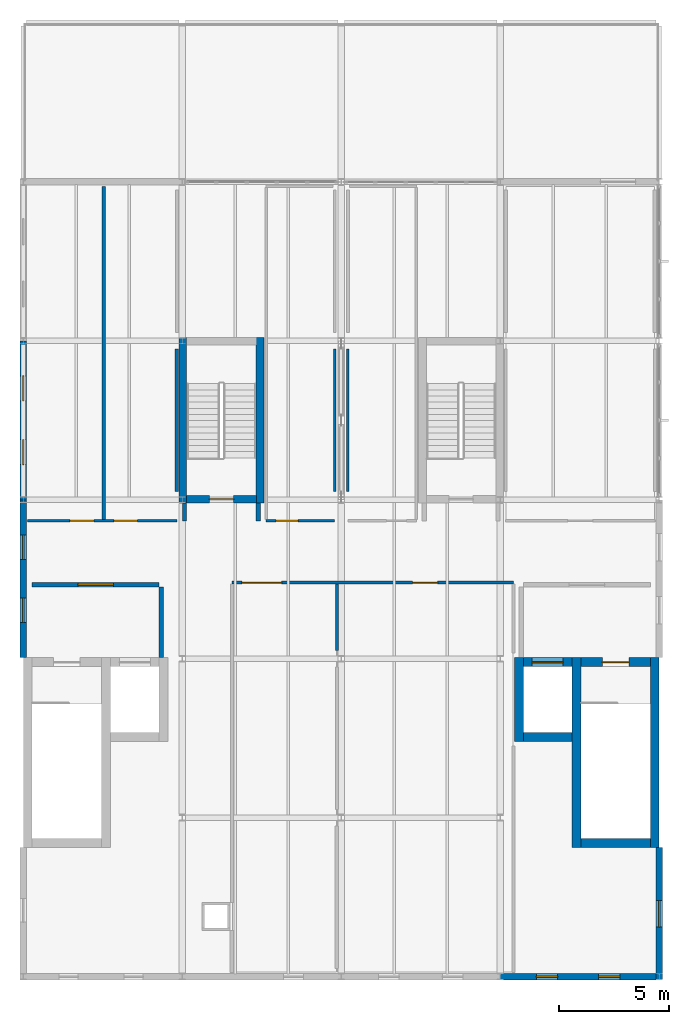
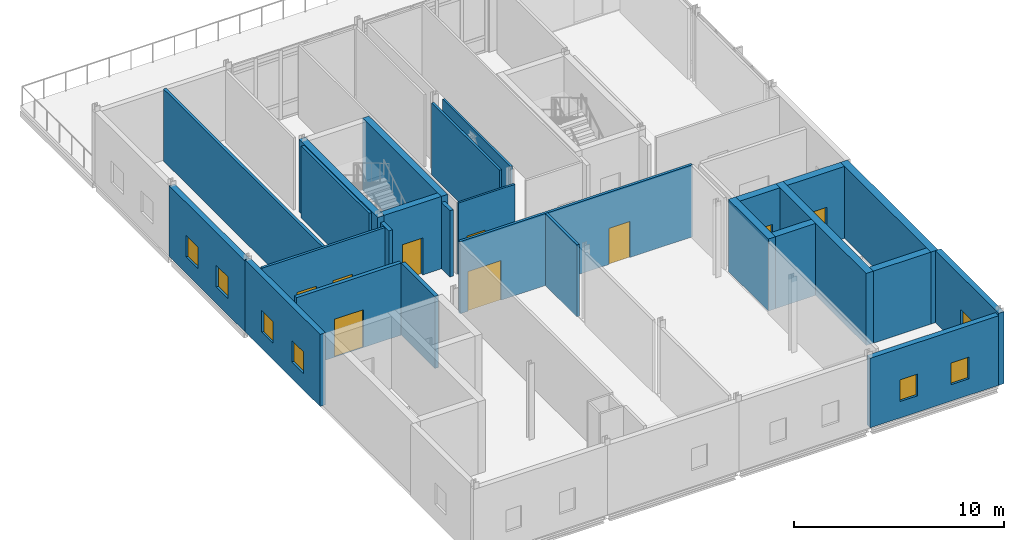
# One storey, part 8 of 12: 26 walls, 9 doors, 7 windows, 16 openings.
"""IFC4 building model written with IfcOpenShell, lengths in metres."""

from ifc_helpers import new_model, si_unit, direction, frame, frame_2d, origin, place, context, subcontext, project, spatial, rectangle, extrude, material, layer, layer_set, type_object, element, fill, save


model = new_model("IFC4")

# Units and contexts
model_context = context("Model", 3, precision=1e-05, world=origin(), true_north=direction((0.0, 1.0)))
body_context = subcontext(model_context, "Body", "Model", "MODEL_VIEW")
ifc_project = project(units=[si_unit("LENGTHUNIT", "METRE"), si_unit("AREAUNIT", "SQUARE_METRE"), si_unit("VOLUMEUNIT", "CUBIC_METRE"), si_unit("PLANEANGLEUNIT", "RADIAN"), si_unit("MASSUNIT", "GRAM", prefix="KILO")], contexts=[model_context])

# Site, building, storey
site_placement = place(None, origin())
site = spatial("IfcSite", under=ifc_project, at=site_placement, CompositionType="ELEMENT")
building_placement = place(site_placement, origin())
building = spatial("IfcBuilding", under=site, at=building_placement, Name="Zarrinpeak Specialist Clinic", CompositionType="ELEMENT")
storey_placement = place(building_placement, frame((0.0, 0.0, 27.199951171875)))
storey = spatial("IfcBuildingStorey", under=building, at=storey_placement, Name="L06", CompositionType="ELEMENT", Elevation=27.199951171875)

# Wall, opening, door
ifc_material_1 = material(Name="Concrete C40/50", Category="concrete")
ifc_layer_1 = layer(ifc_material_1, 0.35009765625)
ifc_layer_set_1 = layer_set([ifc_layer_1], Name="Concrete C40/50")
wall_type_1 = type_object("IfcWallType", Name="WL-CR350", PredefinedType="SHEAR", material=ifc_layer_set_1)
wall_1_placement = place(storey_placement, frame((7.39990234375, 21.625, 0.0), z_axis=(0.0, 0.0, 1.0), x_axis=(1.0, 0.0, 0.0)))
wall_1 = element("IfcWall", 1, at=wall_1_placement, inside=storey, type_object=wall_type_1, Name="L06 Attic Stair ST-13 Shaft Wall STS", PredefinedType="SHEAR", context=body_context, shape_type="SweptSolid", body=[
    extrude(rectangle(XDim=3.150146484375, YDim=0.35009765625, at=frame_2d((1.5751953125, 0.0))), origin(), (0.0, 0.0, 1.0), 4.199951171875),
])
opening_1_placement = place(wall_1_placement, frame((1.02490234375, 0.0, 0.0)))
opening_1 = element("IfcOpeningElement", 2, at=opening_1_placement, cuts=wall_1, Name="Opening D-S02", PredefinedType="OPENING", context=body_context, shape_type="SweptSolid", body=[
    extrude(rectangle(XDim=1.10009765625, YDim=2.14990234375, at=frame_2d((0.550048828125, 1.074951171875))), frame((0.0, 0.18505859375, 0.0), z_axis=(0.0, -1.0, 0.0), x_axis=(1.0, 0.0, 0.0)), (0.0, 0.0, 1.0), 0.3701171875),
])
ifc_material_2 = material(Name="Powder-Coated Galvanised Steel", Category="steel")
door_type_1 = type_object("IfcDoorType", Name="DR-FD110", OperationType="SINGLE_SWING_RIGHT", PredefinedType="DOOR", material=ifc_material_2)
door_1_placement = place(opening_1_placement, frame((1.10009765625, 0.0, 0.0), z_axis=(0.0, 0.0, 1.0), x_axis=(-1.0, 0.0, 0.0)))
door_1 = element("IfcDoor", 3, at=door_1_placement, inside=storey, type_object=door_type_1, Name="L06 Protected Attic Exit Stair ST-13 Fire Door", OperationType="SINGLE_SWING_RIGHT", OverallHeight=2.14990234375, OverallWidth=1.10009765625, PredefinedType="DOOR", context=body_context, shape_type="SweptSolid", body=[
    extrude(rectangle(XDim=1.10009765625, YDim=2.14990234375, at=frame_2d((0.550048828125, 1.074951171875))), frame((0.0, 0.02490234375, 0.0), z_axis=(0.0, -1.0, 0.0), x_axis=(1.0, 0.0, 0.0)), (0.0, 0.0, 1.0), 0.050048828125),
])
fill(opening_1, door_1)

# Walls
for number, where, z_axis, x_axis, name in (
    (4, (7.22509765625, 21.449951171875, 0.0), (0.0, 0.0, 1.0), (0.0, 1.0, 0.0), "L06 Attic Stair ST-13 Shaft Wall STW"),
    (5, (10.72509765625, 21.449951171875, 0.0), (0.0, 0.0, 1.0), (0.0, 1.0, 0.0), "L06 Attic Stair ST-13 Shaft Wall STE"),
):
    element("IfcWall", number, at=place(storey_placement, frame(where, z_axis=z_axis, x_axis=x_axis)), inside=storey, type_object=wall_type_1, Name=name, PredefinedType="SHEAR", context=body_context, shape_type="SweptSolid", body=[
        extrude(rectangle(XDim=7.5, YDim=0.35009765625, at=frame_2d((3.75, 0.0))), origin(), (0.0, 0.0, 1.0), 4.199951171875),
    ])
ifc_layer_2 = layer(ifc_material_1, 0.39990234375)
ifc_layer_set_2 = layer_set([ifc_layer_2], Name="Concrete C40/50")
wall_type_2 = type_object("IfcWallType", Name="WL-CR400", PredefinedType="SHEAR", material=ifc_layer_set_2)
wall_2_placement = place(storey_placement, frame((25.25, 6.050048828125, 0.0), z_axis=(0.0, 0.0, 1.0), x_axis=(1.0, 0.0, 0.0)))
element("IfcWall", 6, at=wall_2_placement, inside=storey, type_object=wall_type_2, Name="L06 Core C02 Shear Wall STS", PredefinedType="SHEAR", context=body_context, shape_type="SweptSolid", body=[
    extrude(rectangle(XDim=3.14990234375, YDim=0.39990234375, at=frame_2d((1.574951171875, 0.0))), origin(), (0.0, 0.0, 1.0), 4.179931640625),
])

# Wall, opening, door
wall_3_placement = place(storey_placement, frame((25.25, 14.25, 0.0), z_axis=(0.0, 0.0, 1.0), x_axis=(1.0, 0.0, 0.0)))
wall_3 = element("IfcWall", 7, at=wall_3_placement, inside=storey, type_object=wall_type_2, Name="L06 Core C02 Shear Wall STN", PredefinedType="SHEAR", context=body_context, shape_type="SweptSolid", body=[
    extrude(rectangle(XDim=3.14990234375, YDim=0.39990234375, at=frame_2d((1.574951171875, 0.0))), origin(), (0.0, 0.0, 1.0), 4.179931640625),
])
opening_2_placement = place(wall_3_placement, frame((0.97509765625, 0.0, 0.0)))
opening_2 = element("IfcOpeningElement", 8, at=opening_2_placement, cuts=wall_3, Name="Opening D-S01", PredefinedType="OPENING", context=body_context, shape_type="SweptSolid", body=[
    extrude(rectangle(XDim=1.199951171875, YDim=2.14990234375, at=frame_2d((0.60009765625, 1.074951171875))), frame((0.0, 0.2099609375, 0.0), z_axis=(0.0, -1.0, 0.0), x_axis=(1.0, 0.0, 0.0)), (0.0, 0.0, 1.0), 0.419921875),
])
door_type_2 = type_object("IfcDoorType", Name="DR-FD120", OperationType="SINGLE_SWING_LEFT", PredefinedType="DOOR", material=ifc_material_2)
door_2_placement = place(opening_2_placement, frame((1.199951171875, 0.0, 0.0), z_axis=(0.0, 0.0, 1.0), x_axis=(-1.0, 0.0, 0.0)))
door_2 = element("IfcDoor", 9, at=door_2_placement, inside=storey, type_object=door_type_2, Name="L06 Protected Stair ST-02 Fire Door", OperationType="SINGLE_SWING_LEFT", OverallHeight=2.14990234375, OverallWidth=1.199951171875, PredefinedType="DOOR", context=body_context, shape_type="SweptSolid", body=[
    extrude(rectangle(XDim=1.199951171875, YDim=2.14990234375, at=frame_2d((0.60009765625, 1.074951171875))), frame((0.0, 0.02490234375, 0.0), z_axis=(0.0, -1.0, 0.0), x_axis=(1.0, 0.0, 0.0)), (0.0, 0.0, 1.0), 0.050048828125),
])
fill(opening_2, door_2)

# Walls
for number, where, z_axis, x_axis, name in (
    (10, (25.050048828125, 5.85009765625, 0.0), (0.0, 0.0, 1.0), (0.0, 1.0, 0.0), "L06 Core C02 Shear Wall STW"),
    (11, (28.60009765625, 5.85009765625, 0.0), (0.0, 0.0, 1.0), (0.0, 1.0, 0.0), "L06 Core C02 Shear Wall STE"),
):
    element("IfcWall", number, at=place(storey_placement, frame(where, z_axis=z_axis, x_axis=x_axis)), inside=storey, type_object=wall_type_2, Name=name, PredefinedType="SHEAR", context=body_context, shape_type="SweptSolid", body=[
        extrude(rectangle(XDim=8.599853515625, YDim=0.39990234375, at=frame_2d((4.2998046875, 0.0))), origin(), (0.0, 0.0, 1.0), 4.179931640625),
    ])
wall_4_placement = place(storey_placement, frame((22.64990234375, 10.85009765625, 0.0), z_axis=(0.0, 0.0, 1.0), x_axis=(1.0, 0.0, 0.0)))
element("IfcWall", 12, at=wall_4_placement, inside=storey, type_object=wall_type_2, Name="L06 Lift LF-FF2 Shaft Wall LFS", PredefinedType="SHEAR", context=body_context, shape_type="SweptSolid", body=[
    extrude(rectangle(XDim=2.2001953125, YDim=0.39990234375, at=frame_2d((1.10009765625, 0.0))), origin(), (0.0, 0.0, 1.0), 4.179931640625),
])

# Wall, opening, door
wall_5_placement = place(storey_placement, frame((22.64990234375, 14.25, 0.0), z_axis=(0.0, 0.0, 1.0), x_axis=(1.0, 0.0, 0.0)))
wall_5 = element("IfcWall", 13, at=wall_5_placement, inside=storey, type_object=wall_type_2, Name="L06 Lift LF-FF2 Shaft Wall LFN", PredefinedType="SHEAR", context=body_context, shape_type="SweptSolid", body=[
    extrude(rectangle(XDim=2.2001953125, YDim=0.39990234375, at=frame_2d((1.10009765625, 0.0))), origin(), (0.0, 0.0, 1.0), 4.179931640625),
])
opening_3_placement = place(wall_5_placement, frame((0.39990234375, 0.0, 0.0)))
opening_3 = element("IfcOpeningElement", 14, at=opening_3_placement, cuts=wall_5, Name="Opening LD-01", PredefinedType="OPENING", context=body_context, shape_type="SweptSolid", body=[
    extrude(rectangle(XDim=1.39990234375, YDim=2.199951171875, at=frame_2d((0.699951171875, 1.10009765625))), frame((0.0, 0.2099609375, 0.0), z_axis=(0.0, -1.0, 0.0), x_axis=(1.0, 0.0, 0.0)), (0.0, 0.0, 1.0), 0.419921875),
])
door_type_3 = type_object("IfcDoorType", Name="DR-LD140", OperationType="SLIDING_TO_LEFT", PredefinedType="DOOR", material=ifc_material_2)
door_3_placement = place(opening_3_placement, origin())
door_3 = element("IfcDoor", 15, at=door_3_placement, inside=storey, type_object=door_type_3, Name="L06 Lift LF-FF2 Sliding Landing Door", OperationType="SLIDING_TO_LEFT", OverallHeight=2.199951171875, OverallWidth=1.39990234375, PredefinedType="DOOR", context=body_context, shape_type="SweptSolid", body=[
    extrude(rectangle(XDim=1.39990234375, YDim=2.199951171875, at=frame_2d((0.699951171875, 1.10009765625))), frame((0.0, 0.02490234375, 0.0), z_axis=(0.0, -1.0, 0.0), x_axis=(1.0, 0.0, 0.0)), (0.0, 0.0, 1.0), 0.050048828125),
])
fill(opening_3, door_3)

# Wall
wall_6_placement = place(storey_placement, frame((22.449951171875, 10.64990234375, 0.0), z_axis=(0.0, 0.0, 1.0), x_axis=(0.0, 1.0, 0.0)))
element("IfcWall", 16, at=wall_6_placement, inside=storey, type_object=wall_type_2, Name="L06 Lift LF-FF2 Shaft Wall LFW", PredefinedType="SHEAR", context=body_context, shape_type="SweptSolid", body=[
    extrude(rectangle(XDim=3.800048828125, YDim=0.39990234375, at=frame_2d((1.89990234375, 0.0))), origin(), (0.0, 0.0, 1.0), 4.179931640625),
])

# Wall, openings, windows
ifc_material_3 = material(Name="Precast concrete C40/50", Category="concrete")
ifc_layer_3 = layer(ifc_material_3, 0.300048828125)
ifc_layer_set_3 = layer_set([ifc_layer_3], Name="Precast concrete C40/50")
wall_type_3 = type_object("IfcWallType", Name="WL-EW300", PredefinedType="STANDARD", material=ifc_layer_set_3)
wall_7_placement = place(storey_placement, frame((21.60009765625, 0.0, 0.0), z_axis=(0.0, 0.0, 1.0), x_axis=(1.0, 0.0, 0.0)))
wall_7 = element("IfcWall", 17, at=wall_7_placement, inside=storey, type_object=wall_type_3, Name="L06 V1 Exterior GRC Wall EW-L06-V1-0087", PredefinedType="STANDARD", context=body_context, shape_type="SweptSolid", body=[
    extrude(rectangle(XDim=7.0498046875, YDim=0.300048828125, at=frame_2d((3.52490234375, 0.0))), origin(), (0.0, 0.0, 1.0), 4.03515625),
])
opening_4_placement = place(wall_7_placement, frame((1.634033203125, 0.0, 0.949951171875)))
opening_4 = element("IfcOpeningElement", 18, at=opening_4_placement, cuts=wall_7, Name="Opening WS-04", PredefinedType="OPENING", context=body_context, shape_type="SweptSolid", body=[
    extrude(rectangle(XDim=0.9619140625, YDim=1.260009765625, at=frame_2d((0.48095703125, 0.6298828125))), frame((0.0, 0.16015625, 0.0), z_axis=(0.0, -1.0, 0.0), x_axis=(1.0, 0.0, 0.0)), (0.0, 0.0, 1.0), 0.320068359375),
])
opening_5_placement = place(wall_7_placement, frame((4.4541015625, 0.0, 0.949951171875)))
opening_5 = element("IfcOpeningElement", 19, at=opening_5_placement, cuts=wall_7, Name="Opening WS-04", PredefinedType="OPENING", context=body_context, shape_type="SweptSolid", body=[
    extrude(rectangle(XDim=0.9619140625, YDim=1.260009765625, at=frame_2d((0.48095703125, 0.6298828125))), frame((0.0, 0.16015625, 0.0), z_axis=(0.0, -1.0, 0.0), x_axis=(1.0, 0.0, 0.0)), (0.0, 0.0, 1.0), 0.320068359375),
])
ifc_material_4 = material(Name="Thermally Broken Aluminium and Low-E Glazing", Category="aluminium")
window_type_1 = type_object("IfcWindowType", Name="WN-SP04", PartitioningType="SINGLE_PANEL", PredefinedType="WINDOW", material=ifc_material_4)
window_1_placement = place(opening_4_placement, origin())
window_1 = element("IfcWindow", 20, at=window_1_placement, inside=storey, type_object=window_type_1, Name="L06 Modular Facade Window WN-L06-0126", OverallHeight=1.260009765625, OverallWidth=0.9619140625, PartitioningType="SINGLE_PANEL", PredefinedType="WINDOW", context=body_context, shape_type="SweptSolid", body=[
    extrude(rectangle(XDim=0.9619140625, YDim=1.260009765625, at=frame_2d((0.48095703125, 0.6298828125))), frame((0.0, 0.030029296875, 0.0), z_axis=(0.0, -1.0, 0.0), x_axis=(1.0, 0.0, 0.0)), (0.0, 0.0, 1.0), 0.06005859375),
])
fill(opening_4, window_1)
window_2_placement = place(opening_5_placement, origin())
window_2 = element("IfcWindow", 21, at=window_2_placement, inside=storey, type_object=window_type_1, Name="L06 Modular Facade Window WN-L06-0127", OverallHeight=1.260009765625, OverallWidth=0.9619140625, PartitioningType="SINGLE_PANEL", PredefinedType="WINDOW", context=body_context, shape_type="SweptSolid", body=[
    extrude(rectangle(XDim=0.9619140625, YDim=1.260009765625, at=frame_2d((0.48095703125, 0.6298828125))), frame((0.0, 0.030029296875, 0.0), z_axis=(0.0, -1.0, 0.0), x_axis=(1.0, 0.0, 0.0)), (0.0, 0.0, 1.0), 0.06005859375),
])
fill(opening_5, window_2)

wall_8_placement = place(storey_placement, frame((0.0, 21.60009765625, 0.0), z_axis=(0.0, 0.0, 1.0), x_axis=(0.0, -1.0, 0.0)))
wall_8 = element("IfcWall", 22, at=wall_8_placement, inside=storey, type_object=wall_type_3, Name="L06 V1 Exterior GRC Wall EW-L06-V1-0091", PredefinedType="STANDARD", context=body_context, shape_type="SweptSolid", body=[
    extrude(rectangle(XDim=7.150146484375, YDim=0.300048828125, at=frame_2d((3.5751953125, 0.0))), origin(), (0.0, 0.0, 1.0), 4.179931640625),
])
opening_6_placement = place(wall_8_placement, frame((1.595947265625, 0.0, 0.949951171875)))
opening_6 = element("IfcOpeningElement", 23, at=opening_6_placement, cuts=wall_8, Name="Opening WS-08", PredefinedType="OPENING", context=body_context, shape_type="SweptSolid", body=[
    extrude(rectangle(XDim=1.097900390625, YDim=1.260009765625, at=frame_2d((0.548828125, 0.6298828125))), frame((0.0, 0.16015625, 0.0), z_axis=(0.0, -1.0, 0.0), x_axis=(1.0, 0.0, 0.0)), (0.0, 0.0, 1.0), 0.320068359375),
])
opening_7_placement = place(wall_8_placement, frame((4.4560546875, 0.0, 0.949951171875)))
opening_7 = element("IfcOpeningElement", 24, at=opening_7_placement, cuts=wall_8, Name="Opening WS-08", PredefinedType="OPENING", context=body_context, shape_type="SweptSolid", body=[
    extrude(rectangle(XDim=1.097900390625, YDim=1.260009765625, at=frame_2d((0.548828125, 0.6298828125))), frame((0.0, 0.16015625, 0.0), z_axis=(0.0, -1.0, 0.0), x_axis=(1.0, 0.0, 0.0)), (0.0, 0.0, 1.0), 0.320068359375),
])
window_type_2 = type_object("IfcWindowType", Name="WN-SP08", PartitioningType="SINGLE_PANEL", PredefinedType="WINDOW", material=ifc_material_4)
window_3_placement = place(opening_6_placement, origin())
window_3 = element("IfcWindow", 25, at=window_3_placement, inside=storey, type_object=window_type_2, Name="L06 Modular Facade Window WN-L06-0129", OverallHeight=1.260009765625, OverallWidth=1.097900390625, PartitioningType="SINGLE_PANEL", PredefinedType="WINDOW", context=body_context, shape_type="SweptSolid", body=[
    extrude(rectangle(XDim=1.097900390625, YDim=1.260009765625, at=frame_2d((0.548828125, 0.6298828125))), frame((0.0, 0.030029296875, 0.0), z_axis=(0.0, -1.0, 0.0), x_axis=(1.0, 0.0, 0.0)), (0.0, 0.0, 1.0), 0.06005859375),
])
fill(opening_6, window_3)
window_4_placement = place(opening_7_placement, origin())
window_4 = element("IfcWindow", 26, at=window_4_placement, inside=storey, type_object=window_type_2, Name="L06 Modular Facade Window WN-L06-0130", OverallHeight=1.260009765625, OverallWidth=1.097900390625, PartitioningType="SINGLE_PANEL", PredefinedType="WINDOW", context=body_context, shape_type="SweptSolid", body=[
    extrude(rectangle(XDim=1.097900390625, YDim=1.260009765625, at=frame_2d((0.548828125, 0.6298828125))), frame((0.0, 0.030029296875, 0.0), z_axis=(0.0, -1.0, 0.0), x_axis=(1.0, 0.0, 0.0)), (0.0, 0.0, 1.0), 0.06005859375),
])
fill(opening_7, window_4)

wall_9_placement = place(storey_placement, frame((0.0, 28.800048828125, 0.0), z_axis=(0.0, 0.0, 1.0), x_axis=(0.0, -1.0, 0.0)))
wall_9 = element("IfcWall", 27, at=wall_9_placement, inside=storey, type_object=wall_type_3, Name="L06 V1 Exterior GRC Wall EW-L06-V1-0092", PredefinedType="STANDARD", context=body_context, shape_type="SweptSolid", body=[
    extrude(rectangle(XDim=7.199951171875, YDim=0.300048828125, at=frame_2d((3.60009765625, 0.0))), origin(), (0.0, 0.0, 1.0), 4.110107421875),
])
opening_8_placement = place(wall_9_placement, frame((1.593994140625, 0.0, 0.949951171875)))
opening_8 = element("IfcOpeningElement", 28, at=opening_8_placement, cuts=wall_9, Name="Opening WS-09", PredefinedType="OPENING", context=body_context, shape_type="SweptSolid", body=[
    extrude(rectangle(XDim=1.132080078125, YDim=1.260009765625, at=frame_2d((0.56591796875, 0.6298828125))), frame((0.0, 0.16015625, 0.0), z_axis=(0.0, -1.0, 0.0), x_axis=(1.0, 0.0, 0.0)), (0.0, 0.0, 1.0), 0.320068359375),
])
opening_9_placement = place(wall_9_placement, frame((4.47412109375, 0.0, 0.949951171875)))
opening_9 = element("IfcOpeningElement", 29, at=opening_9_placement, cuts=wall_9, Name="Opening WS-09", PredefinedType="OPENING", context=body_context, shape_type="SweptSolid", body=[
    extrude(rectangle(XDim=1.132080078125, YDim=1.260009765625, at=frame_2d((0.56591796875, 0.6298828125))), frame((0.0, 0.16015625, 0.0), z_axis=(0.0, -1.0, 0.0), x_axis=(1.0, 0.0, 0.0)), (0.0, 0.0, 1.0), 0.320068359375),
])
window_type_3 = type_object("IfcWindowType", Name="WN-SP09", PartitioningType="SINGLE_PANEL", PredefinedType="WINDOW", material=ifc_material_4)
window_5_placement = place(opening_8_placement, origin())
window_5 = element("IfcWindow", 30, at=window_5_placement, inside=storey, type_object=window_type_3, Name="L06 Modular Facade Window WN-L06-0131", OverallHeight=1.260009765625, OverallWidth=1.132080078125, PartitioningType="SINGLE_PANEL", PredefinedType="WINDOW", context=body_context, shape_type="SweptSolid", body=[
    extrude(rectangle(XDim=1.132080078125, YDim=1.260009765625, at=frame_2d((0.56591796875, 0.6298828125))), frame((0.0, 0.030029296875, 0.0), z_axis=(0.0, -1.0, 0.0), x_axis=(1.0, 0.0, 0.0)), (0.0, 0.0, 1.0), 0.06005859375),
])
fill(opening_8, window_5)
window_6_placement = place(opening_9_placement, origin())
window_6 = element("IfcWindow", 31, at=window_6_placement, inside=storey, type_object=window_type_3, Name="L06 Modular Facade Window WN-L06-0132", OverallHeight=1.260009765625, OverallWidth=1.132080078125, PartitioningType="SINGLE_PANEL", PredefinedType="WINDOW", context=body_context, shape_type="SweptSolid", body=[
    extrude(rectangle(XDim=1.132080078125, YDim=1.260009765625, at=frame_2d((0.56591796875, 0.6298828125))), frame((0.0, 0.030029296875, 0.0), z_axis=(0.0, -1.0, 0.0), x_axis=(1.0, 0.0, 0.0)), (0.0, 0.0, 1.0), 0.06005859375),
])
fill(opening_9, window_6)

# Wall, opening, window
wall_10_placement = place(storey_placement, frame((28.800048828125, -0.14990234375, 0.0), z_axis=(0.0, 0.0, 1.0), x_axis=(0.0, 1.0, 0.0)))
wall_10 = element("IfcWall", 32, at=wall_10_placement, inside=storey, type_object=wall_type_3, Name="L06 V1 Exterior GRC Wall EW-L06-V1-0094", PredefinedType="STANDARD", context=body_context, shape_type="SweptSolid", body=[
    extrude(rectangle(XDim=6.0, YDim=0.300048828125, at=frame_2d((3.0, 0.0))), origin(), (0.0, 0.0, 1.0), 4.179931640625),
])
opening_10_placement = place(wall_10_placement, frame((2.39990234375, 0.0, 0.949951171875)))
opening_10 = element("IfcOpeningElement", 33, at=opening_10_placement, cuts=wall_10, Name="Opening WS-11", PredefinedType="OPENING", context=body_context, shape_type="SweptSolid", body=[
    extrude(rectangle(XDim=1.199951171875, YDim=1.260009765625, at=frame_2d((0.60009765625, 0.6298828125))), frame((0.0, 0.16015625, 0.0), z_axis=(0.0, -1.0, 0.0), x_axis=(1.0, 0.0, 0.0)), (0.0, 0.0, 1.0), 0.320068359375),
])
window_type_4 = type_object("IfcWindowType", Name="WN-SP11", PartitioningType="SINGLE_PANEL", PredefinedType="WINDOW", material=ifc_material_4)
window_7_placement = place(opening_10_placement, origin())
window_7 = element("IfcWindow", 34, at=window_7_placement, inside=storey, type_object=window_type_4, Name="L06 Modular Facade Window WN-L06-0135", OverallHeight=1.260009765625, OverallWidth=1.199951171875, PartitioningType="SINGLE_PANEL", PredefinedType="WINDOW", context=body_context, shape_type="SweptSolid", body=[
    extrude(rectangle(XDim=1.199951171875, YDim=1.260009765625, at=frame_2d((0.60009765625, 0.6298828125))), frame((0.0, 0.030029296875, 0.0), z_axis=(0.0, -1.0, 0.0), x_axis=(1.0, 0.0, 0.0)), (0.0, 0.0, 1.0), 0.06005859375),
])
fill(opening_10, window_7)

# Wall, opening, door
ifc_material_5 = material(Name="Sanitary Service Chase Plumbing Wall", Category="gypsum")
ifc_layer_4 = layer(ifc_material_5, 0.110107421875)
ifc_layer_set_4 = layer_set([ifc_layer_4], Name="Sanitary Service Chase Plumbing Wall")
wall_type_4 = type_object("IfcWallType", Name="WL-IW110", PredefinedType="PARTITIONING", material=ifc_layer_set_4)
wall_11_placement = place(storey_placement, frame((11.0, 20.64990234375, 0.0), z_axis=(0.0, 0.0, 1.0), x_axis=(1.0, 0.0, 0.0)))
wall_11 = element("IfcWall", 35, at=wall_11_placement, inside=storey, type_object=wall_type_4, Name="L06 Accessible Staff WC Partition", PredefinedType="PARTITIONING", context=body_context, shape_type="SweptSolid", body=[
    extrude(rectangle(XDim=3.10009765625, YDim=0.110107421875, at=frame_2d((1.550048828125, 0.0))), origin(), (0.0, 0.0, 1.0), 4.179931640625),
])
opening_11_placement = place(wall_11_placement, frame((0.449951171875, 0.0, 0.0)))
opening_11 = element("IfcOpeningElement", 36, at=opening_11_placement, cuts=wall_11, Name="Opening D-W02", PredefinedType="OPENING", context=body_context, shape_type="SweptSolid", body=[
    extrude(rectangle(XDim=1.0, YDim=2.10009765625, at=frame_2d((0.5, 1.050048828125))), frame((0.0, 0.06494140625, 0.0), z_axis=(0.0, -1.0, 0.0), x_axis=(1.0, 0.0, 0.0)), (0.0, 0.0, 1.0), 0.130126953125),
])
door_type_4 = type_object("IfcDoorType", Name="DR-AWC100", OperationType="SLIDING_TO_LEFT", PredefinedType="DOOR", material=ifc_material_2)
door_4_placement = place(opening_11_placement, frame((1.0, 0.0, 0.0), z_axis=(0.0, 0.0, 1.0), x_axis=(-1.0, 0.0, 0.0)))
door_4 = element("IfcDoor", 37, at=door_4_placement, inside=storey, type_object=door_type_4, Name="L06 Accessible Staff WC Door", OperationType="SLIDING_TO_LEFT", OverallHeight=2.10009765625, OverallWidth=1.0, PredefinedType="DOOR", context=body_context, shape_type="SweptSolid", body=[
    extrude(rectangle(XDim=1.0, YDim=2.10009765625, at=frame_2d((0.5, 1.050048828125))), frame((0.0, 0.02490234375, 0.0), z_axis=(0.0, -1.0, 0.0), x_axis=(1.0, 0.0, 0.0)), (0.0, 0.0, 1.0), 0.050048828125),
])
fill(opening_11, door_4)

# Walls
wall_12_placement = place(storey_placement, frame((14.699951171875, 21.97998046875, 0.0), z_axis=(0.0, 0.0, 1.0), x_axis=(0.0, 1.0, 0.0)))
element("IfcWall", 38, at=wall_12_placement, inside=storey, type_object=wall_type_4, Name="L06 Executive Washroom Dividing Partition", PredefinedType="PARTITIONING", context=body_context, shape_type="SweptSolid", body=[
    extrude(rectangle(XDim=6.43994140625, YDim=0.110107421875, at=frame_2d((3.219970703125, 0.0))), origin(), (0.0, 0.0, 1.0), 4.179931640625),
])
ifc_material_6 = material(Name="Moisture-Resistant Wet-Room Partition", Category="gypsum")
ifc_layer_5 = layer(ifc_material_6, 0.125)
ifc_layer_set_5 = layer_set([ifc_layer_5], Name="Moisture-Resistant Wet-Room Partition")
wall_type_5 = type_object("IfcWallType", Name="WL-IW125W", PredefinedType="PARTITIONING", material=ifc_layer_set_5)
wall_13_placement = place(storey_placement, frame((14.10009765625, 21.97998046875, 0.0), z_axis=(0.0, 0.0, 1.0), x_axis=(0.0, 1.0, 0.0)))
element("IfcWall", 39, at=wall_13_placement, inside=storey, type_object=wall_type_5, Name="L06 Accessible Staff WC Dividing Partition", PredefinedType="PARTITIONING", context=body_context, shape_type="SweptSolid", body=[
    extrude(rectangle(XDim=6.43994140625, YDim=0.125, at=frame_2d((3.219970703125, 0.0))), origin(), (0.0, 0.0, 1.0), 4.179931640625),
])

# Wall, openings, doors
ifc_material_7 = material(Name="Standard Drywall Partition", Category="gypsum")
ifc_layer_6 = layer(ifc_material_7, 0.135009765625)
ifc_layer_set_6 = layer_set([ifc_layer_6], Name="Standard Drywall Partition")
wall_type_6 = type_object("IfcWallType", Name="WL-IW135", PredefinedType="PARTITIONING", material=ifc_layer_set_6)
wall_14_placement = place(storey_placement, frame((0.199951171875, 20.64990234375, 0.0), z_axis=(0.0, 0.0, 1.0), x_axis=(1.0, 0.0, 0.0)))
wall_14 = element("IfcWall", 40, at=wall_14_placement, inside=storey, type_object=wall_type_6, Name="L06 Senior Consultants Shared Office Partition", PredefinedType="PARTITIONING", context=body_context, shape_type="SweptSolid", body=[
    extrude(rectangle(XDim=6.75, YDim=0.135009765625, at=frame_2d((3.375, 0.0))), origin(), (0.0, 0.0, 1.0), 4.179931640625),
])
opening_12_placement = place(wall_14_placement, frame((3.89990234375, 0.0, 0.0)))
opening_12 = element("IfcOpeningElement", 41, at=opening_12_placement, cuts=wall_14, Name="Opening DS-34", PredefinedType="OPENING", context=body_context, shape_type="SweptSolid", body=[
    extrude(rectangle(XDim=1.06201171875, YDim=2.095947265625, at=frame_2d((0.531005859375, 1.0478515625))), frame((0.0, 0.07763671875, 0.0), z_axis=(0.0, -1.0, 0.0), x_axis=(1.0, 0.0, 0.0)), (0.0, 0.0, 1.0), 0.155029296875),
])
opening_13_placement = place(wall_14_placement, frame((1.912109375, 0.0, 0.0)))
opening_13 = element("IfcOpeningElement", 42, at=opening_13_placement, cuts=wall_14, Name="Opening DS-35", PredefinedType="OPENING", context=body_context, shape_type="SweptSolid", body=[
    extrude(rectangle(XDim=1.087890625, YDim=2.095947265625, at=frame_2d((0.5439453125, 1.0478515625))), frame((0.0, 0.07763671875, 0.0), z_axis=(0.0, -1.0, 0.0), x_axis=(1.0, 0.0, 0.0)), (0.0, 0.0, 1.0), 0.155029296875),
])
door_type_5 = type_object("IfcDoorType", Name="DR-SP34", OperationType="SINGLE_SWING_LEFT", PredefinedType="DOOR", material=ifc_material_2)
door_5_placement = place(opening_12_placement, frame((1.06201171875, 0.0, 0.0), z_axis=(0.0, 0.0, 1.0), x_axis=(-1.0, 0.0, 0.0)))
door_5 = element("IfcDoor", 43, at=door_5_placement, inside=storey, type_object=door_type_5, Name="L06 Senior Consultants Shared Office Door", OperationType="SINGLE_SWING_LEFT", OverallHeight=2.095947265625, OverallWidth=1.06201171875, PredefinedType="DOOR", context=body_context, shape_type="SweptSolid", body=[
    extrude(rectangle(XDim=1.06201171875, YDim=2.095947265625, at=frame_2d((0.531005859375, 1.0478515625))), frame((0.0, 0.02490234375, 0.0), z_axis=(0.0, -1.0, 0.0), x_axis=(1.0, 0.0, 0.0)), (0.0, 0.0, 1.0), 0.050048828125),
])
fill(opening_12, door_5)
door_type_6 = type_object("IfcDoorType", Name="DR-SP35", OperationType="SINGLE_SWING_RIGHT", PredefinedType="DOOR", material=ifc_material_2)
door_6_placement = place(opening_13_placement, frame((1.087890625, 0.0, 0.0), z_axis=(0.0, 0.0, 1.0), x_axis=(-1.0, 0.0, 0.0)))
door_6 = element("IfcDoor", 44, at=door_6_placement, inside=storey, type_object=door_type_6, Name="L06 Clinical Records Digital Hub Door", OperationType="SINGLE_SWING_RIGHT", OverallHeight=2.095947265625, OverallWidth=1.087890625, PredefinedType="DOOR", context=body_context, shape_type="SweptSolid", body=[
    extrude(rectangle(XDim=1.087890625, YDim=2.095947265625, at=frame_2d((0.5439453125, 1.0478515625))), frame((0.0, 0.02490234375, 0.0), z_axis=(0.0, -1.0, 0.0), x_axis=(1.0, 0.0, 0.0)), (0.0, 0.0, 1.0), 0.050048828125),
])
fill(opening_13, door_6)

# Wall
wall_15_placement = place(storey_placement, frame((14.199951171875, 14.780029296875, 0.0), z_axis=(0.0, 0.0, 1.0), x_axis=(0.0, 1.0, 0.0)))
element("IfcWall", 45, at=wall_15_placement, inside=storey, type_object=wall_type_6, Name="L06 Multidisciplinary Case Review Room Dividing Partition", PredefinedType="PARTITIONING", context=body_context, shape_type="SweptSolid", body=[
    extrude(rectangle(XDim=2.9990234375, YDim=0.135009765625, at=frame_2d((1.49951171875, 0.0))), origin(), (0.0, 0.0, 1.0), 4.179931640625),
])

# Wall, openings, doors
ifc_material_8 = material(Name="Acoustic Consultation Stud Partition", Category="gypsum")
ifc_layer_7 = layer(ifc_material_8, 0.14208984375)
ifc_layer_set_7 = layer_set([ifc_layer_7], Name="Acoustic Consultation Stud Partition")
wall_type_7 = type_object("IfcWallType", Name="WL-IW142", PredefinedType="PARTITIONING", material=ifc_layer_set_7)
wall_16_placement = place(storey_placement, frame((9.449951171875, 17.85009765625, 0.0), z_axis=(0.0, 0.0, 1.0), x_axis=(1.0, 0.0, 0.0)))
wall_16 = element("IfcWall", 46, at=wall_16_placement, inside=storey, type_object=wall_type_7, Name="L06 Multidisciplinary Case Review Room Partition", PredefinedType="PARTITIONING", context=body_context, shape_type="SweptSolid", body=[
    extrude(rectangle(XDim=12.75, YDim=0.14208984375, at=frame_2d((6.375, 0.0))), origin(), (0.0, 0.0, 1.0), 4.179931640625),
])
opening_14_placement = place(wall_16_placement, frame((0.449951171875, 0.0, 0.0)))
opening_14 = element("IfcOpeningElement", 47, at=opening_14_placement, cuts=wall_16, Name="Opening D-H01", PredefinedType="OPENING", context=body_context, shape_type="SweptSolid", body=[
    extrude(rectangle(XDim=1.800048828125, YDim=2.300048828125, at=frame_2d((0.89990234375, 1.14990234375))), frame((0.0, 0.0810546875, 0.0), z_axis=(0.0, -1.0, 0.0), x_axis=(1.0, 0.0, 0.0)), (0.0, 0.0, 1.0), 0.162109375),
])
opening_15_placement = place(wall_16_placement, frame((8.179931640625, 0.0, 0.0)))
opening_15 = element("IfcOpeningElement", 48, at=opening_15_placement, cuts=wall_16, Name="Opening DS-37", PredefinedType="OPENING", context=body_context, shape_type="SweptSolid", body=[
    extrude(rectangle(XDim=1.139892578125, YDim=2.095947265625, at=frame_2d((0.56982421875, 1.0478515625))), frame((0.0, 0.0810546875, 0.0), z_axis=(0.0, -1.0, 0.0), x_axis=(1.0, 0.0, 0.0)), (0.0, 0.0, 1.0), 0.162109375),
])
door_type_7 = type_object("IfcDoorType", Name="DR-HAL180", OperationType="DOUBLE_DOOR_SINGLE_SWING", PredefinedType="DOOR", material=ifc_material_2)
door_7_placement = place(opening_14_placement, origin())
door_7 = element("IfcDoor", 49, at=door_7_placement, inside=storey, type_object=door_type_7, Name="L06 Multidisciplinary Case Review Room Door", OperationType="DOUBLE_DOOR_SINGLE_SWING", OverallHeight=2.300048828125, OverallWidth=1.800048828125, PredefinedType="DOOR", context=body_context, shape_type="SweptSolid", body=[
    extrude(rectangle(XDim=1.800048828125, YDim=2.300048828125, at=frame_2d((0.89990234375, 1.14990234375))), frame((0.0, 0.02490234375, 0.0), z_axis=(0.0, -1.0, 0.0), x_axis=(1.0, 0.0, 0.0)), (0.0, 0.0, 1.0), 0.050048828125),
])
fill(opening_14, door_7)
door_type_8 = type_object("IfcDoorType", Name="DR-SP37", OperationType="SINGLE_SWING_RIGHT", PredefinedType="DOOR", material=ifc_material_2)
door_8_placement = place(opening_15_placement, origin())
door_8 = element("IfcDoor", 50, at=door_8_placement, inside=storey, type_object=door_type_8, Name="L06 Specialist Consultation Room 2 Door", OperationType="SINGLE_SWING_RIGHT", OverallHeight=2.095947265625, OverallWidth=1.139892578125, PredefinedType="DOOR", context=body_context, shape_type="SweptSolid", body=[
    extrude(rectangle(XDim=1.139892578125, YDim=2.095947265625, at=frame_2d((0.56982421875, 1.0478515625))), frame((0.0, 0.02490234375, 0.0), z_axis=(0.0, -1.0, 0.0), x_axis=(1.0, 0.0, 0.0)), (0.0, 0.0, 1.0), 0.050048828125),
])
fill(opening_15, door_8)

# Walls
wall_17_placement = place(storey_placement, frame((6.949951171875, 21.97998046875, 0.0), z_axis=(0.0, 0.0, 1.0), x_axis=(0.0, 1.0, 0.0)))
element("IfcWall", 51, at=wall_17_placement, inside=storey, type_object=wall_type_7, Name="L06 Senior Consultants Shared Office Dividing Partition", PredefinedType="PARTITIONING", context=body_context, shape_type="SweptSolid", body=[
    extrude(rectangle(XDim=6.43994140625, YDim=0.14208984375, at=frame_2d((3.219970703125, 0.0))), origin(), (0.0, 0.0, 1.0), 4.179931640625),
])
ifc_material_9 = material(Name="Insulated Clinical Gypsum Stud Partition", Category="gypsum")
ifc_layer_8 = layer(ifc_material_9, 0.14990234375)
ifc_layer_set_8 = layer_set([ifc_layer_8], Name="Insulated Clinical Gypsum Stud Partition")
wall_type_8 = type_object("IfcWallType", Name="WL-IW150", PredefinedType="PARTITIONING", material=ifc_layer_set_8)
wall_18_placement = place(storey_placement, frame((3.64990234375, 20.717529296875, 0.0), z_axis=(0.0, 0.0, 1.0), x_axis=(0.0, 1.0, 0.0)))
element("IfcWall", 52, at=wall_18_placement, inside=storey, type_object=wall_type_8, Name="L06 Senior Consultants Shared Office Dividing Partition", PredefinedType="PARTITIONING", context=body_context, shape_type="SweptSolid", body=[
    extrude(rectangle(XDim=15.08251953125, YDim=0.14990234375, at=frame_2d((7.541259765625, 0.0))), origin(), (0.0, 0.0, 1.0), 4.179931640625),
])

# Wall, opening, door
ifc_material_10 = material(Name="Autoclaved Aerated Concrete Blockwork", Category="masonry")
ifc_layer_9 = layer(ifc_material_10, 0.199951171875)
ifc_layer_set_9 = layer_set([ifc_layer_9], Name="Autoclaved Aerated Concrete Blockwork")
wall_type_9 = type_object("IfcWallType", Name="WL-IW200", PredefinedType="PARTITIONING", material=ifc_layer_set_9)
wall_19_placement = place(storey_placement, frame((0.39990234375, 17.75, 0.0), z_axis=(0.0, 0.0, 1.0), x_axis=(1.0, 0.0, 0.0)))
wall_19 = element("IfcWall", 53, at=wall_19_placement, inside=storey, type_object=wall_type_9, Name="L06 C01 Protected Lobby Partition LBF", PredefinedType="PARTITIONING", context=body_context, shape_type="SweptSolid", body=[
    extrude(rectangle(XDim=5.75, YDim=0.199951171875, at=frame_2d((2.875, 0.0))), origin(), (0.0, 0.0, 1.0), 4.179931640625),
])
opening_16_placement = place(wall_19_placement, frame((2.074951171875, 0.0, 0.0)))
opening_16 = element("IfcOpeningElement", 54, at=opening_16_placement, cuts=wall_19, Name="Opening D-L01", PredefinedType="OPENING", context=body_context, shape_type="SweptSolid", body=[
    extrude(rectangle(XDim=1.60009765625, YDim=2.199951171875, at=frame_2d((0.800048828125, 1.10009765625))), frame((0.0, 0.10986328125, 0.0), z_axis=(0.0, -1.0, 0.0), x_axis=(1.0, 0.0, 0.0)), (0.0, 0.0, 1.0), 0.219970703125),
])
door_type_9 = type_object("IfcDoorType", Name="DR-LB160", OperationType="DOUBLE_DOOR_SINGLE_SWING", PredefinedType="DOOR", material=ifc_material_2)
door_9_placement = place(opening_16_placement, origin())
door_9 = element("IfcDoor", 55, at=door_9_placement, inside=storey, type_object=door_type_9, Name="L06 C01 Lobby Hold-Open Fire Door", OperationType="DOUBLE_DOOR_SINGLE_SWING", OverallHeight=2.199951171875, OverallWidth=1.60009765625, PredefinedType="DOOR", context=body_context, shape_type="SweptSolid", body=[
    extrude(rectangle(XDim=1.60009765625, YDim=2.199951171875, at=frame_2d((0.800048828125, 1.10009765625))), frame((0.0, 0.02490234375, 0.0), z_axis=(0.0, -1.0, 0.0), x_axis=(1.0, 0.0, 0.0)), (0.0, 0.0, 1.0), 0.050048828125),
])
fill(opening_16, door_9)

# Walls
wall_20_placement = place(storey_placement, frame((6.25, 14.449951171875, 0.0), z_axis=(0.0, 0.0, 1.0), x_axis=(0.0, 1.0, 0.0)))
element("IfcWall", 56, at=wall_20_placement, inside=storey, type_object=wall_type_9, Name="L06 C01 Protected Lobby Partition LBE", PredefinedType="PARTITIONING", context=body_context, shape_type="SweptSolid", body=[
    extrude(rectangle(XDim=3.199951171875, YDim=0.199951171875, at=frame_2d((1.60009765625, 0.0))), origin(), (0.0, 0.0, 1.0), 4.179931640625),
])
for number, where, z_axis, x_axis, name in (
    (57, (7.300048828125, 20.64990234375, 0.0), (0.0, 0.0, 1.0), (0.0, 1.0, 0.0), "L06 Attic Stair ST-13 Vestibule Wall VW"),
    (58, (10.64990234375, 20.64990234375, 0.0), (0.0, 0.0, 1.0), (0.0, 1.0, 0.0), "L06 Attic Stair ST-13 Vestibule Wall VE"),
):
    element("IfcWall", number, at=place(storey_placement, frame(where, z_axis=z_axis, x_axis=x_axis)), inside=storey, type_object=wall_type_9, Name=name, PredefinedType="PARTITIONING", context=body_context, shape_type="SweptSolid", body=[
        extrude(rectangle(XDim=0.800048828125, YDim=0.199951171875, at=frame_2d((0.39990234375, 0.0))), origin(), (0.0, 0.0, 1.0), 3.85009765625),
    ])

save(model, "model.ifc")
